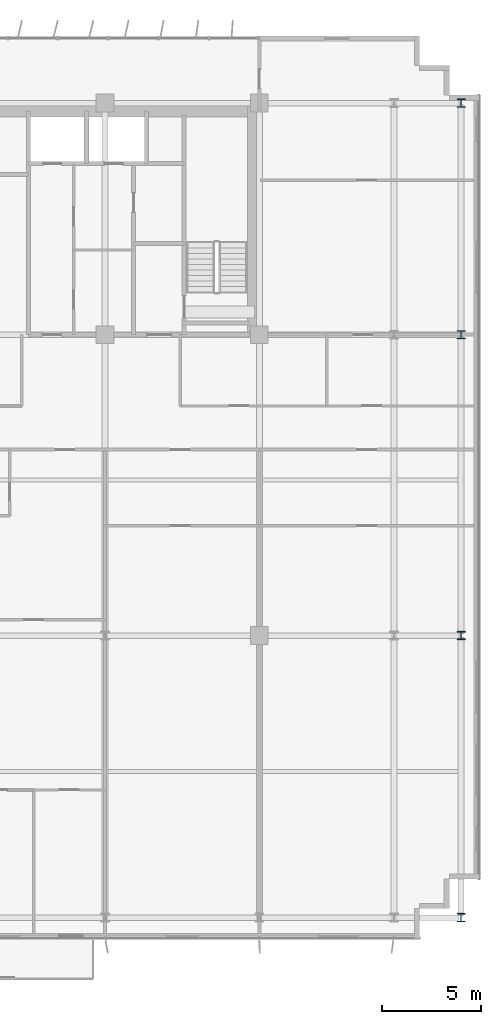
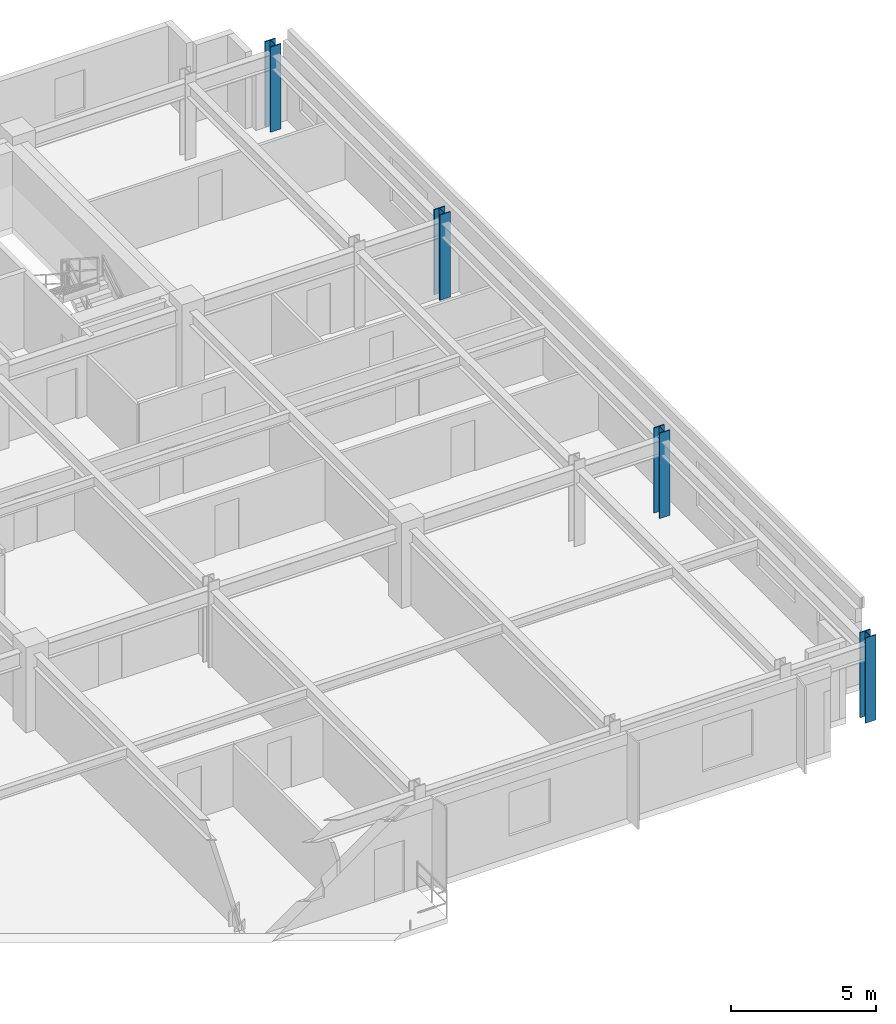
# One storey, part 3 of 25: 4 columns.
"""IFC4 building model written with IfcOpenShell, lengths in metres."""

from ifc_helpers import new_model, si_unit, direction, frame, origin, origin_2d, place, context, subcontext, project, spatial, i_section, extrude, source, transform, mapped, material, material_profile, profile_set, type_object, element, save


model = new_model("IFC4")

# Units and contexts
model_context = context("Model", 3, precision=1e-05, world=origin(), true_north=direction((0.0, 1.0)))
body_context = subcontext(model_context, "Body", "Model", "MODEL_VIEW")
ifc_project = project(units=[si_unit("LENGTHUNIT", "METRE"), si_unit("AREAUNIT", "SQUARE_METRE"), si_unit("VOLUMEUNIT", "CUBIC_METRE"), si_unit("PLANEANGLEUNIT", "RADIAN"), si_unit("MASSUNIT", "GRAM", prefix="KILO")], contexts=[model_context])

# Site, building, storey
site_placement = place(None, origin())
site = spatial("IfcSite", under=ifc_project, at=site_placement, CompositionType="ELEMENT")
building_placement = place(site_placement, origin())
building = spatial("IfcBuilding", under=site, at=building_placement, Name="Trelvane Seafront Commons", CompositionType="ELEMENT")
storey_placement = place(building_placement, frame((0.0, 0.0, 70.300048828125)))
storey = spatial("IfcBuildingStorey", under=building, at=storey_placement, Name="L18", CompositionType="ELEMENT", Elevation=70.300048828125)

# Columns
ifc_material = material(Name="Steel SM355 (S355)", Category="steel")
ifc_material_profile = material_profile(ifc_material, i_section(OverallWidth=0.419921875, OverallDepth=0.419921875, WebThickness=0.02587890625, FlangeThickness=0.0400390625, at=origin_2d()), Name="HD-420x420x26x40")
ifc_profile_set = profile_set([ifc_material_profile], Name="Steel SM355 (S355)")
column_type = type_object("IfcColumnType", Name="STR-COL-HD420", PredefinedType="COLUMN", material=ifc_profile_set)
shared_shape = source(origin(), body_context, "Body", "SweptSolid", [
    extrude(i_section(OverallWidth=0.419921875, OverallDepth=0.419921875, WebThickness=0.02587890625, FlangeThickness=0.0400390625, at=origin_2d()), origin(), (0.0, 0.0, 1.0), 3.599853515625),
])
for number, where, z_axis, x_axis, name in (
    (1, (69.0, 3.949951171875, 0.0), (0.0, 0.0, 1.0), (1.0, 0.0, 0.0), "L18 Column TC-S69.0"),
    (2, (69.0, 18.199951171875, 0.0), (0.0, 0.0, 1.0), (1.0, 0.0, 0.0), "L18 Column TC-M69.0"),
    (3, (69.0, 33.39990234375, 0.0), (0.0, 0.0, 1.0), (1.0, 0.0, 0.0), "L18 Column TC-CS69.0"),
    (4, (69.0, 45.10009765625, 0.0), (0.0, 0.0, 1.0), (1.0, 0.0, 0.0), "L18 Column TC-CN69.0"),
):
    element("IfcColumn", number, at=place(storey_placement, frame(where, z_axis=z_axis, x_axis=x_axis)), inside=storey, type_object=column_type, Name=name, PredefinedType="COLUMN", context=body_context, shape_type="MappedRepresentation", body=[
        mapped(shared_shape, transform((0.0, 0.0, 0.0), x_axis=(1.0, 0.0, 0.0), y_axis=(0.0, 1.0, 0.0), z_axis=(0.0, 0.0, 1.0), scale=1.0)),
    ])

save(model, "model.ifc")
